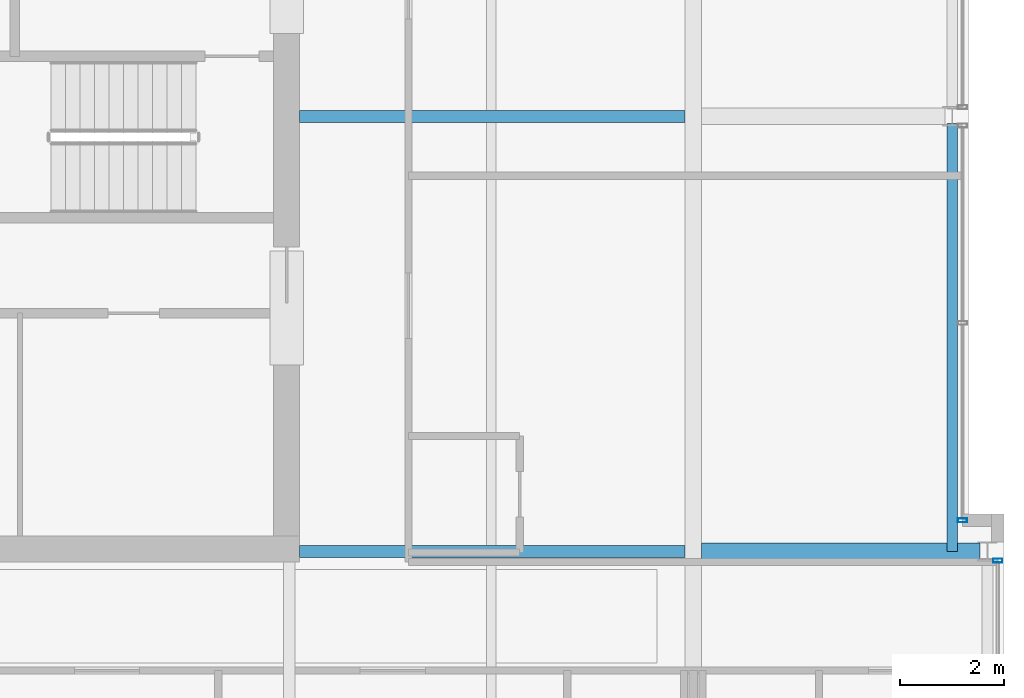
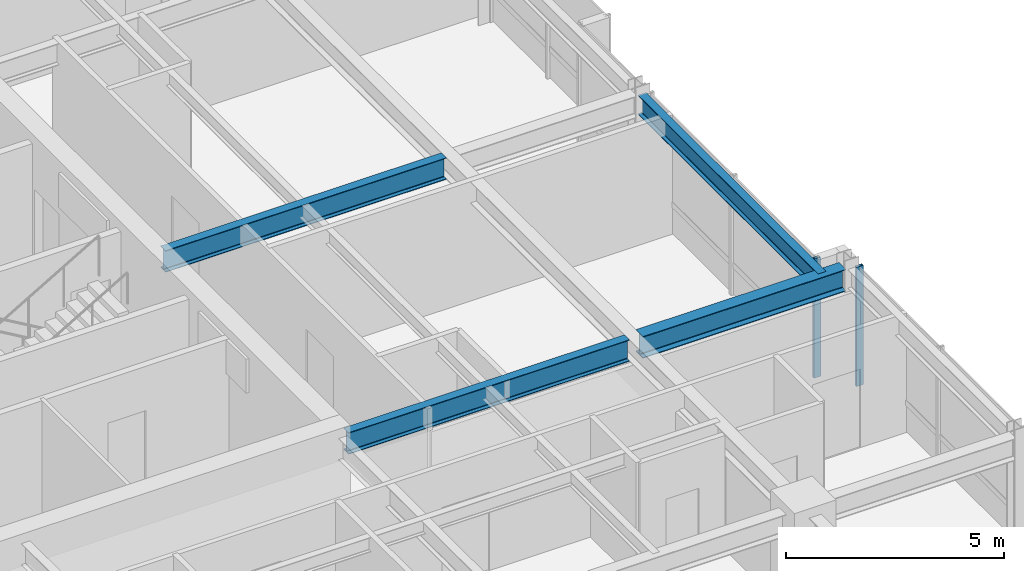
# One storey, part 14 of 32: 4 beams, 2 members, 2 elements without a shape of their own.
"""IFC4 building model written with IfcOpenShell, lengths in metres."""

from ifc_helpers import new_model, si_unit, direction, frame, origin, origin_2d, place, context, subcontext, project, spatial, hollow_rectangle, i_section, extrude, material, layer, layer_set, material_profile, profile_set, type_object, element, aggregate, save


model = new_model("IFC4")

# Units and contexts
model_context = context("Model", 3, precision=1e-05, world=origin(), true_north=direction((0.0, 1.0)))
body_context = subcontext(model_context, "Body", "Model", "MODEL_VIEW")
ifc_project = project(units=[si_unit("LENGTHUNIT", "METRE"), si_unit("AREAUNIT", "SQUARE_METRE"), si_unit("VOLUMEUNIT", "CUBIC_METRE"), si_unit("PLANEANGLEUNIT", "RADIAN"), si_unit("MASSUNIT", "GRAM", prefix="KILO")], contexts=[model_context])

# Site, building, storey
site_placement = place(None, origin())
site = spatial("IfcSite", under=ifc_project, at=site_placement, CompositionType="ELEMENT")
building_placement = place(site_placement, origin())
building = spatial("IfcBuilding", under=site, at=building_placement, Name="Drelvath Grand Hotel", CompositionType="ELEMENT")
storey_placement = place(building_placement, frame((0.0, 0.0, 237.5)))
storey = spatial("IfcBuildingStorey", under=building, at=storey_placement, Name="L62", CompositionType="ELEMENT", Elevation=237.5)

# Curtain wall, member
ifc_material_1 = material(Name="Platinum-Mist Anodised Aluminium Frame", Category="aluminium")
ifc_layer = layer(ifc_material_1, 0.199951171875)
ifc_layer_set = layer_set([ifc_layer], Name="Platinum-Mist Anodised Aluminium Frame")
curtain_wall_type = type_object("IfcCurtainWallType", Name="Stick Curtain Wall CW-05 Platinum Mist High-Rise", PredefinedType="NOTDEFINED", material=ifc_layer_set)
curtain_wall_1_placement = place(storey_placement, origin())
curtain_wall_1 = element("IfcCurtainWall", 1, at=curtain_wall_1_placement, inside=storey, type_object=curtain_wall_type, Name="L62 CW-05 Curtain Wall CW05-L62-EM1", PredefinedType="NOTDEFINED")
ifc_material_profile_1 = material_profile(ifc_material_1, hollow_rectangle(XDim=0.074951171875, YDim=0.179931640625, WallThickness=0.0048828125, at=origin_2d()), Name="HSS180X75X5")
ifc_profile_set_1 = profile_set([ifc_material_profile_1], Name="Platinum-Mist Anodised Aluminium Frame")
member_type = type_object("IfcMemberType", Name="Curtain Wall Vertical Mullion CW-05 HSS180X75X5", PredefinedType="MULLION", material=ifc_profile_set_1)
member_1_placement = place(storey_placement, frame((21.39990234375, 19.199951171875, 0.0), z_axis=(0.0, 0.0, 1.0), x_axis=(0.0, 1.0, 0.0)))
member_1 = element("IfcMember", 2, at=member_1_placement, type_object=member_type, Name="CW05-L62-EM1 Mullion 3", PredefinedType="MULLION", context=body_context, shape_type="SweptSolid", body=[
    extrude(hollow_rectangle(XDim=0.074951171875, YDim=0.179931640625, WallThickness=0.0048828125, at=origin_2d()), origin(), (0.0, 0.0, 1.0), 3.340087890625),
])
aggregate(curtain_wall_1, [member_1])

curtain_wall_2_placement = place(storey_placement, origin())
curtain_wall_2 = element("IfcCurtainWall", 3, at=curtain_wall_2_placement, inside=storey, type_object=curtain_wall_type, Name="L62 CW-05 Curtain Wall CW05-L62-ES2", PredefinedType="NOTDEFINED")
member_2_placement = place(storey_placement, frame((22.080078125, 18.421875, 0.0), z_axis=(0.0, 0.0, 1.0), x_axis=(0.0, 1.0, 0.0)))
member_2 = element("IfcMember", 4, at=member_2_placement, type_object=member_type, Name="CW05-L62-ES2 Mullion 1", PredefinedType="MULLION", context=body_context, shape_type="SweptSolid", body=[
    extrude(hollow_rectangle(XDim=0.074951171875, YDim=0.179931640625, WallThickness=0.0048828125, at=origin_2d()), origin(), (0.0, 0.0, 1.0), 3.340087890625),
])
aggregate(curtain_wall_2, [member_2])

# Beams
ifc_material_2 = material(Name="Steel ASTM A992 Gr 50", Category="steel")
ifc_material_profile_2 = material_profile(ifc_material_2, i_section(OverallWidth=0.210205078125, OverallDepth=0.53662109375, WebThickness=0.010986328125, FlangeThickness=0.017333984375, FilletRadius=0.01806640625, at=origin_2d()), Name="W21X68")
ifc_profile_set_2 = profile_set([ifc_material_profile_2], Name="Steel ASTM A992 Gr 50")
beam_type_1 = type_object("IfcBeamType", Name="Perimeter Spandrel Beam W21X68", PredefinedType="SPANDREL", material=ifc_profile_set_2)
beam_1_placement = place(storey_placement, frame((21.199951171875, 18.60009765625, 3.07177734375), z_axis=(0.0, 1.0, 0.0), x_axis=(-1.0, 0.0, 0.0)))
element("IfcBeam", 5, at=beam_1_placement, inside=storey, type_object=beam_type_1, Name="L62 Spandrel East Mid S", PredefinedType="SPANDREL", context=body_context, shape_type="SweptSolid", body=[
    extrude(i_section(OverallWidth=0.210205078125, OverallDepth=0.53662109375, WebThickness=0.010986328125, FlangeThickness=0.017333984375, FilletRadius=0.01806640625, at=origin_2d()), origin(), (0.0, 0.0, 1.0), 8.260009765625),
])
ifc_material_profile_3 = material_profile(ifc_material_2, i_section(OverallWidth=0.323974609375, OverallDepth=0.611083984375, WebThickness=0.0126953125, FlangeThickness=0.01904296875, FilletRadius=0.02197265625, at=origin_2d()), Name="W24X104")
ifc_profile_set_3 = profile_set([ifc_material_profile_3], Name="Steel ASTM A992 Gr 50")
beam_type_2 = type_object("IfcBeamType", Name="Primary Floor Girder W24X104", PredefinedType="BEAM", material=ifc_profile_set_3)
beam_2_placement = place(storey_placement, frame((16.362060546875, 18.60009765625, 3.034423828125), z_axis=(1.0, 0.0, 0.0), x_axis=(0.0, 1.0, 0.0)))
element("IfcBeam", 6, at=beam_2_placement, inside=storey, type_object=beam_type_2, Name="L62 East Wing Girder D", PredefinedType="BEAM", context=body_context, shape_type="SweptSolid", body=[
    extrude(i_section(OverallWidth=0.323974609375, OverallDepth=0.611083984375, WebThickness=0.0126953125, FlangeThickness=0.01904296875, FilletRadius=0.02197265625, at=origin_2d()), origin(), (0.0, 0.0, 1.0), 5.3779296875),
])
ifc_material_profile_4 = material_profile(ifc_material_2, i_section(OverallWidth=0.228271484375, OverallDepth=0.607666015625, WebThickness=0.01123046875, FlangeThickness=0.017333984375, FilletRadius=0.02001953125, at=origin_2d()), Name="W24X76")
ifc_profile_set_4 = profile_set([ifc_material_profile_4], Name="Steel ASTM A992 Gr 50")
beam_type_3 = type_object("IfcBeamType", Name="Primary Floor Girder W24X76", PredefinedType="BEAM", material=ifc_profile_set_4)
for number, where, z_axis, x_axis, name in (
    (7, (8.60009765625, 18.60009765625, 3.0361328125), (1.0, 0.0, 0.0), (0.0, 1.0, 0.0), "L62 East Core Tie D"),
    (8, (8.60009765625, 27.0, 3.0361328125), (1.0, 0.0, 0.0), (0.0, 1.0, 0.0), "L62 East Core Tie E"),
):
    element("IfcBeam", number, at=place(storey_placement, frame(where, z_axis=z_axis, x_axis=x_axis)), inside=storey, type_object=beam_type_3, Name=name, PredefinedType="BEAM", context=body_context, shape_type="SweptSolid", body=[
        extrude(i_section(OverallWidth=0.228271484375, OverallDepth=0.607666015625, WebThickness=0.01123046875, FlangeThickness=0.017333984375, FilletRadius=0.02001953125, at=origin_2d()), origin(), (0.0, 0.0, 1.0), 7.43798828125),
    ])

save(model, "model.ifc")
